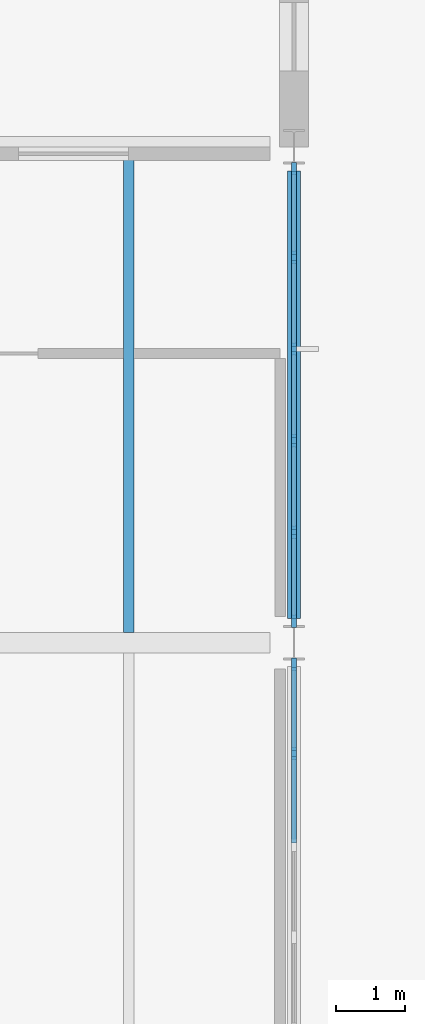
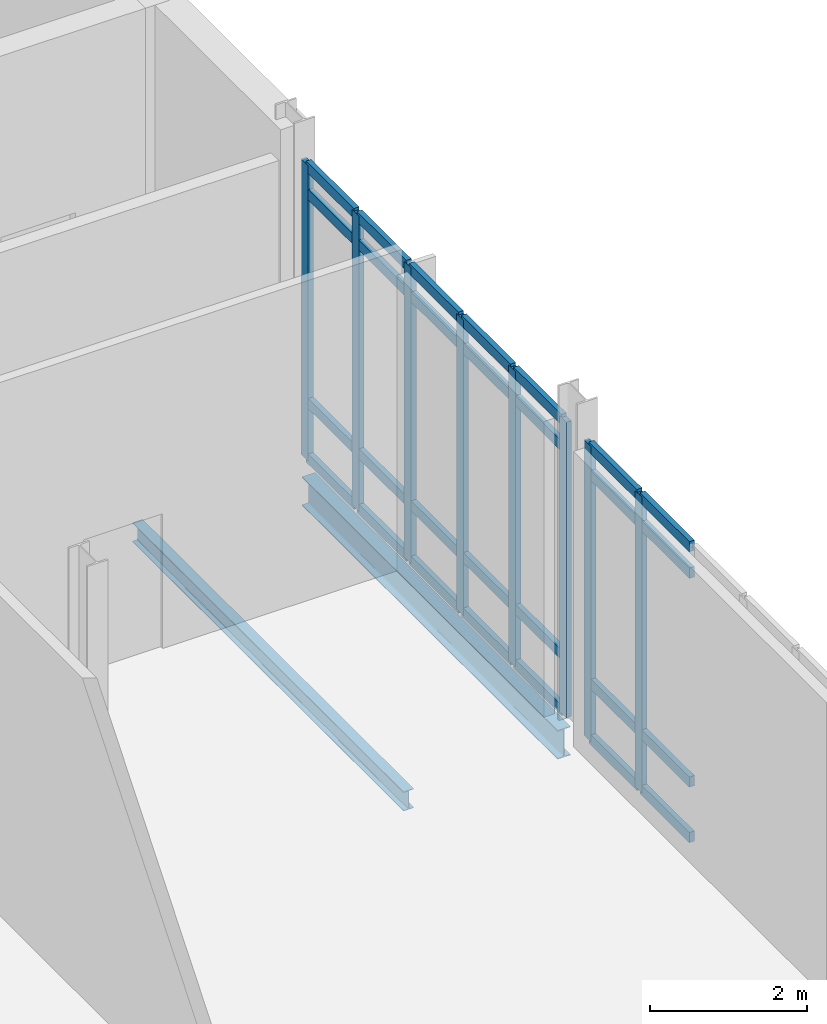
# One storey, part 38 of 89: 36 members, 2 beams, 2 elements without a shape of their own.
"""IFC4 building model written with IfcOpenShell, lengths in metres."""

from ifc_helpers import new_model, si_unit, direction, frame, origin, origin_2d, place, context, subcontext, project, spatial, rectangle, i_section, extrude, material, layer, layer_set, material_profile, profile_set, type_object, element, aggregate, save


model = new_model("IFC4")

# Units and contexts
model_context = context("Model", 3, precision=1e-05, world=origin(), true_north=direction((0.0, 1.0)))
body_context = subcontext(model_context, "Body", "Model", "MODEL_VIEW")
ifc_project = project(units=[si_unit("LENGTHUNIT", "METRE"), si_unit("AREAUNIT", "SQUARE_METRE"), si_unit("VOLUMEUNIT", "CUBIC_METRE"), si_unit("PLANEANGLEUNIT", "RADIAN"), si_unit("MASSUNIT", "GRAM", prefix="KILO")], contexts=[model_context])

# Site, building, storey
site_placement = place(None, origin())
site = spatial("IfcSite", under=ifc_project, at=site_placement, CompositionType="ELEMENT")
building_placement = place(site_placement, origin())
building = spatial("IfcBuilding", under=site, at=building_placement, Name="Zarrinpeak Specialist Clinic", CompositionType="ELEMENT")
storey_placement = place(building_placement, origin())
storey = spatial("IfcBuildingStorey", under=building, at=storey_placement, Name="L00", CompositionType="ELEMENT", Elevation=0.0)

# Beams
ifc_material_1 = material(Name="Steel S355", Category="steel")
ifc_material_profile_1 = material_profile(ifc_material_1, i_section(OverallWidth=0.14990234375, OverallDepth=0.300048828125, WebThickness=0.007080078125, FlangeThickness=0.0107421875, FilletRadius=0.014892578125, at=origin_2d()), Name="IPE 300")
ifc_profile_set_1 = profile_set([ifc_material_profile_1], Name="Steel S355")
beam_type_1 = type_object("IfcBeamType", Name="BM-JST300", PredefinedType="JOIST", material=ifc_profile_set_1)
beam_1_placement = place(storey_placement, frame((62.39990234375, 96.548095703125, -0.39990234375), z_axis=(0.0, 1.0, 0.0), x_axis=(-1.0, 0.0, 0.0)))
element("IfcBeam", 1, at=beam_1_placement, inside=storey, type_object=beam_type_1, Name="L00 Composite Floor Joist JST-L00-0603", PredefinedType="JOIST", context=body_context, shape_type="SweptSolid", body=[
    extrude(i_section(OverallWidth=0.14990234375, OverallDepth=0.300048828125, WebThickness=0.007080078125, FlangeThickness=0.0107421875, FilletRadius=0.014892578125, at=origin_2d()), origin(), (0.0, 0.0, 1.0), 6.90380859375),
])
ifc_material_profile_2 = material_profile(ifc_material_1, i_section(OverallWidth=0.18994140625, OverallDepth=0.449951171875, WebThickness=0.009521484375, FlangeThickness=0.0146484375, FilletRadius=0.02099609375, at=origin_2d()), Name="IPE 450")
ifc_profile_set_2 = profile_set([ifc_material_profile_2], Name="Steel S355")
beam_type_2 = type_object("IfcBeamType", Name="BM-SP450", PredefinedType="SPANDREL", material=ifc_profile_set_2)
beam_2_placement = place(storey_placement, frame((64.800048828125, 96.748046875, -0.47509765625), z_axis=(0.0, 1.0, 0.0), x_axis=(-1.0, 0.0, 0.0)))
element("IfcBeam", 2, at=beam_2_placement, inside=storey, type_object=beam_type_2, Name="L00 Perimeter Spandrel Beam BM-L00-Y0341", PredefinedType="SPANDREL", context=body_context, shape_type="SweptSolid", body=[
    extrude(i_section(OverallWidth=0.18994140625, OverallDepth=0.449951171875, WebThickness=0.009521484375, FlangeThickness=0.0146484375, FilletRadius=0.02099609375, at=origin_2d()), origin(), (0.0, 0.0, 1.0), 6.50390625),
])

# Curtain wall, members
ifc_material_2 = material(Name="Anodised Aluminium Alloy 6063-T6", Category="aluminium")
ifc_layer = layer(ifc_material_2, 0.1650390625)
ifc_layer_set = layer_set([ifc_layer], Name="Anodised Aluminium Alloy 6063-T6")
curtain_wall_type = type_object("IfcCurtainWallType", Name="CW-CLINIC", PredefinedType="NOTDEFINED", material=ifc_layer_set)
curtain_wall_1_placement = place(storey_placement, origin())
curtain_wall_1 = element("IfcCurtainWall", 3, at=curtain_wall_1_placement, inside=storey, type_object=curtain_wall_type, Name="L00 V6 Unitised Curtain Wall CW-L00-V6-133", PredefinedType="NOTDEFINED")
ifc_material_profile_3 = material_profile(ifc_material_2, rectangle(XDim=0.074951171875, YDim=0.179931640625, at=origin_2d()), Name="ALU 75x180")
ifc_profile_set_3 = profile_set([ifc_material_profile_3], Name="Anodised Aluminium Alloy 6063-T6")
member_type_1 = type_object("IfcMemberType", Name="CWM-75", PredefinedType="MULLION", material=ifc_profile_set_3)
member_1_placement = place(storey_placement, frame((64.800048828125, 94.7900390625, 0.0), z_axis=(0.0, 0.0, 1.0), x_axis=(-1.0, 0.0, 0.0)))
member_1 = element("IfcMember", 4, at=member_1_placement, type_object=member_type_1, Name="CW-03 mullion 5", PredefinedType="MULLION", context=body_context, shape_type="SweptSolid", body=[
    extrude(rectangle(XDim=0.074951171875, YDim=0.179931640625, at=origin_2d()), origin(), (0.0, 0.0, 1.0), 4.594970703125),
])
member_2_placement = place(storey_placement, frame((64.800048828125, 96.08740234375, 0.0), z_axis=(0.0, 0.0, 1.0), x_axis=(-1.0, 0.0, 0.0)))
member_2 = element("IfcMember", 5, at=member_2_placement, type_object=member_type_1, Name="CW-03 mullion 6", PredefinedType="MULLION", context=body_context, shape_type="SweptSolid", body=[
    extrude(rectangle(XDim=0.074951171875, YDim=0.179931640625, at=origin_2d()), origin(), (0.0, 0.0, 1.0), 4.594970703125),
])

curtain_wall_2_placement = place(storey_placement, origin())
curtain_wall_2 = element("IfcCurtainWall", 6, at=curtain_wall_2_placement, inside=storey, type_object=curtain_wall_type, Name="L00 V6 Unitised Curtain Wall CW-L00-V6-134", PredefinedType="NOTDEFINED")
member_3_placement = place(storey_placement, frame((64.800048828125, 96.71240234375, 0.0), z_axis=(0.0, 0.0, 1.0), x_axis=(-1.0, 0.0, 0.0)))
member_3 = element("IfcMember", 7, at=member_3_placement, type_object=member_type_1, Name="CW-03 mullion 1", PredefinedType="MULLION", context=body_context, shape_type="SweptSolid", body=[
    extrude(rectangle(XDim=0.074951171875, YDim=0.179931640625, at=origin_2d()), origin(), (0.0, 0.0, 1.0), 4.594970703125),
])
member_4_placement = place(storey_placement, frame((64.800048828125, 98.0048828125, 0.0), z_axis=(0.0, 0.0, 1.0), x_axis=(-1.0, 0.0, 0.0)))
member_4 = element("IfcMember", 8, at=member_4_placement, type_object=member_type_1, Name="CW-03 mullion 2", PredefinedType="MULLION", context=body_context, shape_type="SweptSolid", body=[
    extrude(rectangle(XDim=0.074951171875, YDim=0.179931640625, at=origin_2d()), origin(), (0.0, 0.0, 1.0), 4.594970703125),
])
member_5_placement = place(storey_placement, frame((64.800048828125, 99.3349609375, 0.0), z_axis=(0.0, 0.0, 1.0), x_axis=(-1.0, 0.0, 0.0)))
member_5 = element("IfcMember", 9, at=member_5_placement, type_object=member_type_1, Name="CW-03 mullion 3", PredefinedType="MULLION", context=body_context, shape_type="SweptSolid", body=[
    extrude(rectangle(XDim=0.074951171875, YDim=0.179931640625, at=origin_2d()), origin(), (0.0, 0.0, 1.0), 4.594970703125),
])
member_6_placement = place(storey_placement, frame((64.800048828125, 100.6650390625, 0.0), z_axis=(0.0, 0.0, 1.0), x_axis=(-1.0, 0.0, 0.0)))
member_6 = element("IfcMember", 10, at=member_6_placement, type_object=member_type_1, Name="CW-03 mullion 4", PredefinedType="MULLION", context=body_context, shape_type="SweptSolid", body=[
    extrude(rectangle(XDim=0.074951171875, YDim=0.179931640625, at=origin_2d()), origin(), (0.0, 0.0, 1.0), 4.594970703125),
])
member_7_placement = place(storey_placement, frame((64.800048828125, 101.9951171875, 0.0), z_axis=(0.0, 0.0, 1.0), x_axis=(-1.0, 0.0, 0.0)))
member_7 = element("IfcMember", 11, at=member_7_placement, type_object=member_type_1, Name="CW-03 mullion 5", PredefinedType="MULLION", context=body_context, shape_type="SweptSolid", body=[
    extrude(rectangle(XDim=0.074951171875, YDim=0.179931640625, at=origin_2d()), origin(), (0.0, 0.0, 1.0), 4.594970703125),
])
member_8_placement = place(storey_placement, frame((64.800048828125, 103.28759765625, 0.0), z_axis=(0.0, 0.0, 1.0), x_axis=(-1.0, 0.0, 0.0)))
member_8 = element("IfcMember", 12, at=member_8_placement, type_object=member_type_1, Name="CW-03 mullion 6", PredefinedType="MULLION", context=body_context, shape_type="SweptSolid", body=[
    extrude(rectangle(XDim=0.074951171875, YDim=0.179931640625, at=origin_2d()), origin(), (0.0, 0.0, 1.0), 4.594970703125),
])

# Member
ifc_material_profile_4 = material_profile(ifc_material_2, rectangle(XDim=0.074951171875, YDim=0.159912109375, at=origin_2d()), Name="ALU 75x160")
ifc_profile_set_4 = profile_set([ifc_material_profile_4], Name="Anodised Aluminium Alloy 6063-T6")
member_type_2 = type_object("IfcMemberType", Name="CWT-75", PredefinedType="USERDEFINED", material=ifc_profile_set_4)
member_9_placement = place(storey_placement, frame((64.800048828125, 93.492431640625, 0.03759765625), z_axis=(0.0, 1.0, 0.0), x_axis=(-1.0, 0.0, 0.0)))
member_9 = element("IfcMember", 13, at=member_9_placement, type_object=member_type_2, Name="CW-03 transom 4.1", ObjectType="TRANSOM", PredefinedType="USERDEFINED", context=body_context, shape_type="SweptSolid", body=[
    extrude(rectangle(XDim=0.074951171875, YDim=0.159912109375, at=origin_2d()), origin(), (0.0, 0.0, 1.0), 1.260009765625),
])

member_10_placement = place(storey_placement, frame((64.800048828125, 93.492431640625, 0.89990234375), z_axis=(0.0, 1.0, 0.0), x_axis=(-1.0, 0.0, 0.0)))
member_10 = element("IfcMember", 14, at=member_10_placement, type_object=member_type_2, Name="CW-03 transom 4.2", ObjectType="TRANSOM", PredefinedType="USERDEFINED", context=body_context, shape_type="SweptSolid", body=[
    extrude(rectangle(XDim=0.074951171875, YDim=0.159912109375, at=origin_2d()), origin(), (0.0, 0.0, 1.0), 1.260009765625),
])

member_11_placement = place(storey_placement, frame((64.800048828125, 93.492431640625, 4.14501953125), z_axis=(0.0, 1.0, 0.0), x_axis=(-1.0, 0.0, 0.0)))
member_11 = element("IfcMember", 15, at=member_11_placement, type_object=member_type_2, Name="CW-03 transom 4.3", ObjectType="TRANSOM", PredefinedType="USERDEFINED", context=body_context, shape_type="SweptSolid", body=[
    extrude(rectangle(XDim=0.074951171875, YDim=0.159912109375, at=origin_2d()), origin(), (0.0, 0.0, 1.0), 1.260009765625),
])

member_12_placement = place(storey_placement, frame((64.800048828125, 93.492431640625, 4.5576171875), z_axis=(0.0, 1.0, 0.0), x_axis=(-1.0, 0.0, 0.0)))
member_12 = element("IfcMember", 16, at=member_12_placement, type_object=member_type_2, Name="CW-03 transom 4.4", ObjectType="TRANSOM", PredefinedType="USERDEFINED", context=body_context, shape_type="SweptSolid", body=[
    extrude(rectangle(XDim=0.074951171875, YDim=0.159912109375, at=origin_2d()), origin(), (0.0, 0.0, 1.0), 1.260009765625),
])

member_13_placement = place(storey_placement, frame((64.800048828125, 94.827392578125, 0.03759765625), z_axis=(0.0, 1.0, 0.0), x_axis=(-1.0, 0.0, 0.0)))
member_13 = element("IfcMember", 17, at=member_13_placement, type_object=member_type_2, Name="CW-03 transom 5.1", ObjectType="TRANSOM", PredefinedType="USERDEFINED", context=body_context, shape_type="SweptSolid", body=[
    extrude(rectangle(XDim=0.074951171875, YDim=0.159912109375, at=origin_2d()), origin(), (0.0, 0.0, 1.0), 1.22265625),
])

member_14_placement = place(storey_placement, frame((64.800048828125, 94.827392578125, 0.89990234375), z_axis=(0.0, 1.0, 0.0), x_axis=(-1.0, 0.0, 0.0)))
member_14 = element("IfcMember", 18, at=member_14_placement, type_object=member_type_2, Name="CW-03 transom 5.2", ObjectType="TRANSOM", PredefinedType="USERDEFINED", context=body_context, shape_type="SweptSolid", body=[
    extrude(rectangle(XDim=0.074951171875, YDim=0.159912109375, at=origin_2d()), origin(), (0.0, 0.0, 1.0), 1.22265625),
])

member_15_placement = place(storey_placement, frame((64.800048828125, 94.827392578125, 4.14501953125), z_axis=(0.0, 1.0, 0.0), x_axis=(-1.0, 0.0, 0.0)))
member_15 = element("IfcMember", 19, at=member_15_placement, type_object=member_type_2, Name="CW-03 transom 5.3", ObjectType="TRANSOM", PredefinedType="USERDEFINED", context=body_context, shape_type="SweptSolid", body=[
    extrude(rectangle(XDim=0.074951171875, YDim=0.159912109375, at=origin_2d()), origin(), (0.0, 0.0, 1.0), 1.22265625),
])

member_16_placement = place(storey_placement, frame((64.800048828125, 94.827392578125, 4.5576171875), z_axis=(0.0, 1.0, 0.0), x_axis=(-1.0, 0.0, 0.0)))
member_16 = element("IfcMember", 20, at=member_16_placement, type_object=member_type_2, Name="CW-03 transom 5.4", ObjectType="TRANSOM", PredefinedType="USERDEFINED", context=body_context, shape_type="SweptSolid", body=[
    extrude(rectangle(XDim=0.074951171875, YDim=0.159912109375, at=origin_2d()), origin(), (0.0, 0.0, 1.0), 1.22265625),
])

aggregate(curtain_wall_1, [member_1, member_2, member_9, member_10, member_11, member_12, member_13, member_14, member_15, member_16])

member_17_placement = place(storey_placement, frame((64.800048828125, 96.75, 0.03759765625), z_axis=(0.0, 1.0, 0.0), x_axis=(-1.0, 0.0, 0.0)))
member_17 = element("IfcMember", 21, at=member_17_placement, type_object=member_type_2, Name="CW-03 transom 1.1", ObjectType="TRANSOM", PredefinedType="USERDEFINED", context=body_context, shape_type="SweptSolid", body=[
    extrude(rectangle(XDim=0.074951171875, YDim=0.159912109375, at=origin_2d()), origin(), (0.0, 0.0, 1.0), 1.217529296875),
])

member_18_placement = place(storey_placement, frame((64.800048828125, 96.75, 0.89990234375), z_axis=(0.0, 1.0, 0.0), x_axis=(-1.0, 0.0, 0.0)))
member_18 = element("IfcMember", 22, at=member_18_placement, type_object=member_type_2, Name="CW-03 transom 1.2", ObjectType="TRANSOM", PredefinedType="USERDEFINED", context=body_context, shape_type="SweptSolid", body=[
    extrude(rectangle(XDim=0.074951171875, YDim=0.159912109375, at=origin_2d()), origin(), (0.0, 0.0, 1.0), 1.217529296875),
])

member_19_placement = place(storey_placement, frame((64.800048828125, 96.75, 4.14501953125), z_axis=(0.0, 1.0, 0.0), x_axis=(-1.0, 0.0, 0.0)))
member_19 = element("IfcMember", 23, at=member_19_placement, type_object=member_type_2, Name="CW-03 transom 1.3", ObjectType="TRANSOM", PredefinedType="USERDEFINED", context=body_context, shape_type="SweptSolid", body=[
    extrude(rectangle(XDim=0.074951171875, YDim=0.159912109375, at=origin_2d()), origin(), (0.0, 0.0, 1.0), 1.217529296875),
])

member_20_placement = place(storey_placement, frame((64.800048828125, 96.75, 4.5576171875), z_axis=(0.0, 1.0, 0.0), x_axis=(-1.0, 0.0, 0.0)))
member_20 = element("IfcMember", 24, at=member_20_placement, type_object=member_type_2, Name="CW-03 transom 1.4", ObjectType="TRANSOM", PredefinedType="USERDEFINED", context=body_context, shape_type="SweptSolid", body=[
    extrude(rectangle(XDim=0.074951171875, YDim=0.159912109375, at=origin_2d()), origin(), (0.0, 0.0, 1.0), 1.217529296875),
])

member_21_placement = place(storey_placement, frame((64.800048828125, 98.04248046875, 0.03759765625), z_axis=(0.0, 1.0, 0.0), x_axis=(-1.0, 0.0, 0.0)))
member_21 = element("IfcMember", 25, at=member_21_placement, type_object=member_type_2, Name="CW-03 transom 2.1", ObjectType="TRANSOM", PredefinedType="USERDEFINED", context=body_context, shape_type="SweptSolid", body=[
    extrude(rectangle(XDim=0.074951171875, YDim=0.159912109375, at=origin_2d()), origin(), (0.0, 0.0, 1.0), 1.255126953125),
])

member_22_placement = place(storey_placement, frame((64.800048828125, 98.04248046875, 0.89990234375), z_axis=(0.0, 1.0, 0.0), x_axis=(-1.0, 0.0, 0.0)))
member_22 = element("IfcMember", 26, at=member_22_placement, type_object=member_type_2, Name="CW-03 transom 2.2", ObjectType="TRANSOM", PredefinedType="USERDEFINED", context=body_context, shape_type="SweptSolid", body=[
    extrude(rectangle(XDim=0.074951171875, YDim=0.159912109375, at=origin_2d()), origin(), (0.0, 0.0, 1.0), 1.255126953125),
])

member_23_placement = place(storey_placement, frame((64.800048828125, 98.04248046875, 4.14501953125), z_axis=(0.0, 1.0, 0.0), x_axis=(-1.0, 0.0, 0.0)))
member_23 = element("IfcMember", 27, at=member_23_placement, type_object=member_type_2, Name="CW-03 transom 2.3", ObjectType="TRANSOM", PredefinedType="USERDEFINED", context=body_context, shape_type="SweptSolid", body=[
    extrude(rectangle(XDim=0.074951171875, YDim=0.159912109375, at=origin_2d()), origin(), (0.0, 0.0, 1.0), 1.255126953125),
])

member_24_placement = place(storey_placement, frame((64.800048828125, 98.04248046875, 4.5576171875), z_axis=(0.0, 1.0, 0.0), x_axis=(-1.0, 0.0, 0.0)))
member_24 = element("IfcMember", 28, at=member_24_placement, type_object=member_type_2, Name="CW-03 transom 2.4", ObjectType="TRANSOM", PredefinedType="USERDEFINED", context=body_context, shape_type="SweptSolid", body=[
    extrude(rectangle(XDim=0.074951171875, YDim=0.159912109375, at=origin_2d()), origin(), (0.0, 0.0, 1.0), 1.255126953125),
])

member_25_placement = place(storey_placement, frame((64.800048828125, 99.37255859375, 0.03759765625), z_axis=(0.0, 1.0, 0.0), x_axis=(-1.0, 0.0, 0.0)))
member_25 = element("IfcMember", 29, at=member_25_placement, type_object=member_type_2, Name="CW-03 transom 3.1", ObjectType="TRANSOM", PredefinedType="USERDEFINED", context=body_context, shape_type="SweptSolid", body=[
    extrude(rectangle(XDim=0.074951171875, YDim=0.159912109375, at=origin_2d()), origin(), (0.0, 0.0, 1.0), 1.2548828125),
])

member_26_placement = place(storey_placement, frame((64.800048828125, 99.37255859375, 0.89990234375), z_axis=(0.0, 1.0, 0.0), x_axis=(-1.0, 0.0, 0.0)))
member_26 = element("IfcMember", 30, at=member_26_placement, type_object=member_type_2, Name="CW-03 transom 3.2", ObjectType="TRANSOM", PredefinedType="USERDEFINED", context=body_context, shape_type="SweptSolid", body=[
    extrude(rectangle(XDim=0.074951171875, YDim=0.159912109375, at=origin_2d()), origin(), (0.0, 0.0, 1.0), 1.2548828125),
])

member_27_placement = place(storey_placement, frame((64.800048828125, 99.37255859375, 4.14501953125), z_axis=(0.0, 1.0, 0.0), x_axis=(-1.0, 0.0, 0.0)))
member_27 = element("IfcMember", 31, at=member_27_placement, type_object=member_type_2, Name="CW-03 transom 3.3", ObjectType="TRANSOM", PredefinedType="USERDEFINED", context=body_context, shape_type="SweptSolid", body=[
    extrude(rectangle(XDim=0.074951171875, YDim=0.159912109375, at=origin_2d()), origin(), (0.0, 0.0, 1.0), 1.2548828125),
])

member_28_placement = place(storey_placement, frame((64.800048828125, 99.37255859375, 4.5576171875), z_axis=(0.0, 1.0, 0.0), x_axis=(-1.0, 0.0, 0.0)))
member_28 = element("IfcMember", 32, at=member_28_placement, type_object=member_type_2, Name="CW-03 transom 3.4", ObjectType="TRANSOM", PredefinedType="USERDEFINED", context=body_context, shape_type="SweptSolid", body=[
    extrude(rectangle(XDim=0.074951171875, YDim=0.159912109375, at=origin_2d()), origin(), (0.0, 0.0, 1.0), 1.2548828125),
])

member_29_placement = place(storey_placement, frame((64.800048828125, 100.702392578125, 0.03759765625), z_axis=(0.0, 1.0, 0.0), x_axis=(-1.0, 0.0, 0.0)))
member_29 = element("IfcMember", 33, at=member_29_placement, type_object=member_type_2, Name="CW-03 transom 4.1", ObjectType="TRANSOM", PredefinedType="USERDEFINED", context=body_context, shape_type="SweptSolid", body=[
    extrude(rectangle(XDim=0.074951171875, YDim=0.159912109375, at=origin_2d()), origin(), (0.0, 0.0, 1.0), 1.255126953125),
])

member_30_placement = place(storey_placement, frame((64.800048828125, 100.702392578125, 0.89990234375), z_axis=(0.0, 1.0, 0.0), x_axis=(-1.0, 0.0, 0.0)))
member_30 = element("IfcMember", 34, at=member_30_placement, type_object=member_type_2, Name="CW-03 transom 4.2", ObjectType="TRANSOM", PredefinedType="USERDEFINED", context=body_context, shape_type="SweptSolid", body=[
    extrude(rectangle(XDim=0.074951171875, YDim=0.159912109375, at=origin_2d()), origin(), (0.0, 0.0, 1.0), 1.255126953125),
])

member_31_placement = place(storey_placement, frame((64.800048828125, 100.702392578125, 4.14501953125), z_axis=(0.0, 1.0, 0.0), x_axis=(-1.0, 0.0, 0.0)))
member_31 = element("IfcMember", 35, at=member_31_placement, type_object=member_type_2, Name="CW-03 transom 4.3", ObjectType="TRANSOM", PredefinedType="USERDEFINED", context=body_context, shape_type="SweptSolid", body=[
    extrude(rectangle(XDim=0.074951171875, YDim=0.159912109375, at=origin_2d()), origin(), (0.0, 0.0, 1.0), 1.255126953125),
])

member_32_placement = place(storey_placement, frame((64.800048828125, 100.702392578125, 4.5576171875), z_axis=(0.0, 1.0, 0.0), x_axis=(-1.0, 0.0, 0.0)))
member_32 = element("IfcMember", 36, at=member_32_placement, type_object=member_type_2, Name="CW-03 transom 4.4", ObjectType="TRANSOM", PredefinedType="USERDEFINED", context=body_context, shape_type="SweptSolid", body=[
    extrude(rectangle(XDim=0.074951171875, YDim=0.159912109375, at=origin_2d()), origin(), (0.0, 0.0, 1.0), 1.255126953125),
])

member_33_placement = place(storey_placement, frame((64.800048828125, 102.032470703125, 0.03759765625), z_axis=(0.0, 1.0, 0.0), x_axis=(-1.0, 0.0, 0.0)))
member_33 = element("IfcMember", 37, at=member_33_placement, type_object=member_type_2, Name="CW-03 transom 5.1", ObjectType="TRANSOM", PredefinedType="USERDEFINED", context=body_context, shape_type="SweptSolid", body=[
    extrude(rectangle(XDim=0.074951171875, YDim=0.159912109375, at=origin_2d()), origin(), (0.0, 0.0, 1.0), 1.217529296875),
])

member_34_placement = place(storey_placement, frame((64.800048828125, 102.032470703125, 0.89990234375), z_axis=(0.0, 1.0, 0.0), x_axis=(-1.0, 0.0, 0.0)))
member_34 = element("IfcMember", 38, at=member_34_placement, type_object=member_type_2, Name="CW-03 transom 5.2", ObjectType="TRANSOM", PredefinedType="USERDEFINED", context=body_context, shape_type="SweptSolid", body=[
    extrude(rectangle(XDim=0.074951171875, YDim=0.159912109375, at=origin_2d()), origin(), (0.0, 0.0, 1.0), 1.217529296875),
])

member_35_placement = place(storey_placement, frame((64.800048828125, 102.032470703125, 4.14501953125), z_axis=(0.0, 1.0, 0.0), x_axis=(-1.0, 0.0, 0.0)))
member_35 = element("IfcMember", 39, at=member_35_placement, type_object=member_type_2, Name="CW-03 transom 5.3", ObjectType="TRANSOM", PredefinedType="USERDEFINED", context=body_context, shape_type="SweptSolid", body=[
    extrude(rectangle(XDim=0.074951171875, YDim=0.159912109375, at=origin_2d()), origin(), (0.0, 0.0, 1.0), 1.217529296875),
])

member_36_placement = place(storey_placement, frame((64.800048828125, 102.032470703125, 4.5576171875), z_axis=(0.0, 1.0, 0.0), x_axis=(-1.0, 0.0, 0.0)))
member_36 = element("IfcMember", 40, at=member_36_placement, type_object=member_type_2, Name="CW-03 transom 5.4", ObjectType="TRANSOM", PredefinedType="USERDEFINED", context=body_context, shape_type="SweptSolid", body=[
    extrude(rectangle(XDim=0.074951171875, YDim=0.159912109375, at=origin_2d()), origin(), (0.0, 0.0, 1.0), 1.217529296875),
])

aggregate(curtain_wall_2, [member_3, member_4, member_5, member_6, member_7, member_8, member_17, member_18, member_19, member_20, member_21, member_22, member_23, member_24, member_25, member_26, member_27, member_28, member_29, member_30, member_31, member_32, member_33, member_34, member_35, member_36])

save(model, "model.ifc")
